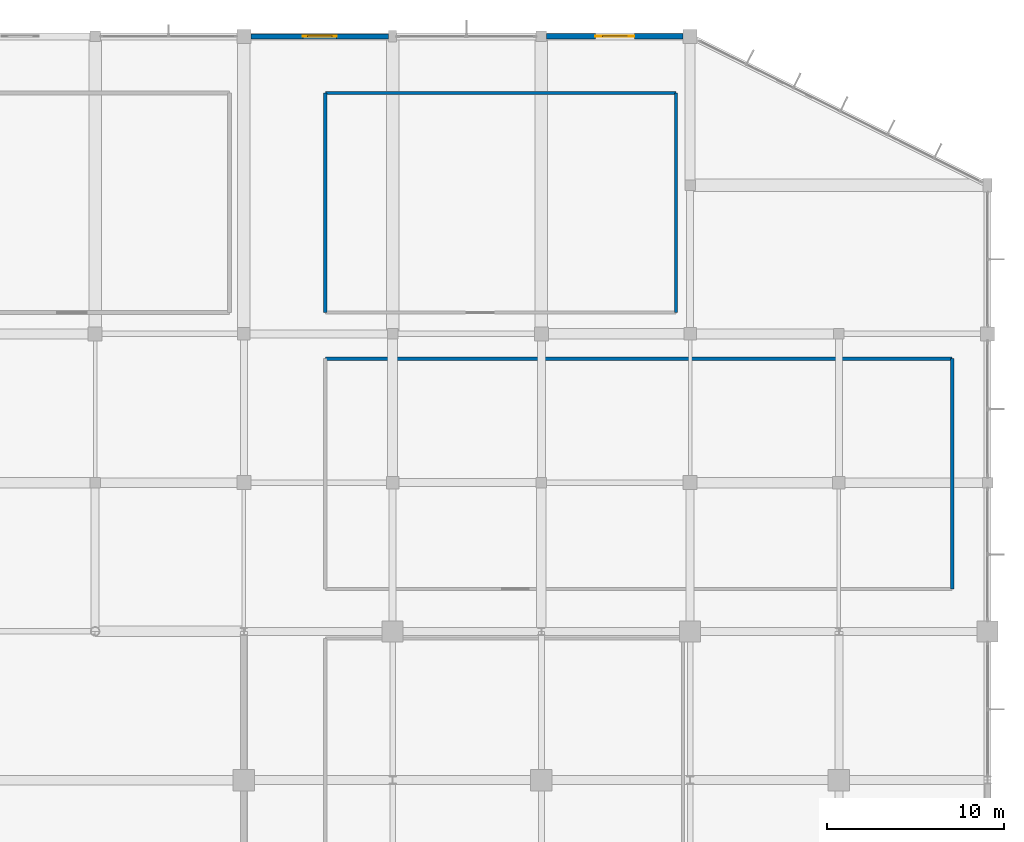
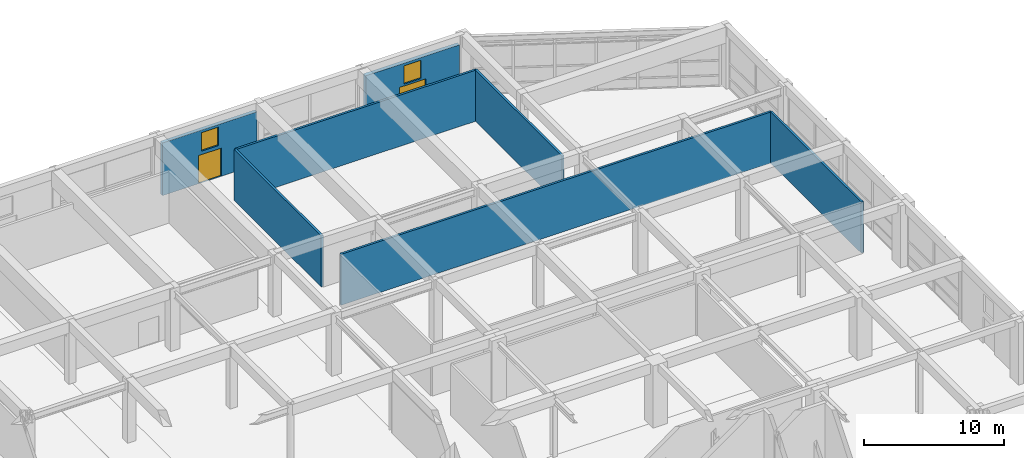
# One storey, part 50 of 62: 7 walls, 2 doors, 2 windows, 4 openings.
"""IFC4 building model written with IfcOpenShell, lengths in metres."""

from ifc_helpers import new_model, si_unit, direction, frame, frame_2d, origin, place, context, subcontext, project, spatial, rectangle, extrude, material, layer, layer_set, type_object, element, fill, save


model = new_model("IFC4")

# Units and contexts
model_context = context("Model", 3, precision=1e-05, world=origin(), true_north=direction((0.0, 1.0)))
body_context = subcontext(model_context, "Body", "Model", "MODEL_VIEW")
ifc_project = project(units=[si_unit("LENGTHUNIT", "METRE"), si_unit("AREAUNIT", "SQUARE_METRE"), si_unit("VOLUMEUNIT", "CUBIC_METRE"), si_unit("PLANEANGLEUNIT", "RADIAN"), si_unit("MASSUNIT", "GRAM", prefix="KILO")], contexts=[model_context])

# Site, building, storey
site_placement = place(None, origin())
site = spatial("IfcSite", under=ifc_project, at=site_placement, CompositionType="ELEMENT")
building_placement = place(site_placement, origin())
building = spatial("IfcBuilding", under=site, at=building_placement, Name="Xuanlan Plaza Opera House", CompositionType="ELEMENT")
storey_placement = place(building_placement, origin())
storey = spatial("IfcBuildingStorey", under=building, at=storey_placement, Name="L00", CompositionType="ELEMENT", Elevation=0.0)

# Wall, openings, door, window
ifc_material_1 = material(Name="Anodised Aluminium 6063-T6 and Rockwool Cladding", Category="aluminium")
ifc_layer_1 = layer(ifc_material_1, 0.320068359375)
ifc_layer_set_1 = layer_set([ifc_layer_1], Name="Anodised Aluminium 6063-T6 and Rockwool Cladding")
wall_type_1 = type_object("IfcWallType", Name="ENV-WL-EW-03", PredefinedType="STANDARD", material=ifc_layer_set_1)
wall_1_placement = place(storey_placement, frame((150.800048828125, 117.60009765625, 0.0), z_axis=(0.0, 0.0, 1.0), x_axis=(-1.0, 0.0, 0.0)))
wall_1 = element("IfcWall", 1, at=wall_1_placement, inside=storey, type_object=wall_type_1, Name="Exterior Wall L00-031", PredefinedType="STANDARD", context=body_context, shape_type="SweptSolid", body=[
    extrude(rectangle(XDim=7.699951171875, YDim=0.320068359375, at=frame_2d((3.85009765625, 0.0))), origin(), (0.0, 0.0, 1.0), 4.580078125),
])
opening_1_placement = place(wall_1_placement, frame((2.75, 0.0, 0.0)))
opening_1 = element("IfcOpeningElement", 2, at=opening_1_placement, cuts=wall_1, Name="Opening ED-04", PredefinedType="OPENING", context=body_context, shape_type="SweptSolid", body=[
    extrude(rectangle(XDim=2.199951171875, YDim=2.60009765625, at=frame_2d((1.10009765625, 1.300048828125))), frame((0.0, 0.169921875, 0.0), z_axis=(0.0, -1.0, 0.0), x_axis=(1.0, 0.0, 0.0)), (0.0, 0.0, 1.0), 0.340087890625),
])
opening_2_placement = place(wall_1_placement, frame((3.14990234375, 0.0, 2.75)))
opening_2 = element("IfcOpeningElement", 3, at=opening_2_placement, cuts=wall_1, Name="Opening WN-08", PredefinedType="OPENING", context=body_context, shape_type="SweptSolid", body=[
    extrude(rectangle(XDim=1.39990234375, YDim=1.60009765625, at=frame_2d((0.699951171875, 0.800048828125))), frame((0.0, 0.169921875, 0.0), z_axis=(0.0, -1.0, 0.0), x_axis=(1.0, 0.0, 0.0)), (0.0, 0.0, 1.0), 0.340087890625),
])
ifc_material_2 = material(Name="Anodised Aluminium 6063-T6 and Laminated Safety Glass", Category="aluminium")
door_type_1 = type_object("IfcDoorType", Name="ENV-DR-ED-04", OperationType="DOUBLE_DOOR_SINGLE_SWING", PredefinedType="DOOR", material=ifc_material_2)
door_1_placement = place(opening_1_placement, frame((2.199951171875, 0.0, 0.0), z_axis=(0.0, 0.0, 1.0), x_axis=(-1.0, 0.0, 0.0)))
door_1 = element("IfcDoor", 4, at=door_1_placement, inside=storey, type_object=door_type_1, Name="Plaza Pedestrian Exit Door 15", OperationType="DOUBLE_DOOR_SINGLE_SWING", OverallHeight=2.60009765625, OverallWidth=2.199951171875, PredefinedType="DOOR", context=body_context, shape_type="SweptSolid", body=[
    extrude(rectangle(XDim=2.199951171875, YDim=2.60009765625, at=frame_2d((1.10009765625, 1.300048828125))), frame((0.0, 0.02490234375, 0.0), z_axis=(0.0, -1.0, 0.0), x_axis=(1.0, 0.0, 0.0)), (0.0, 0.0, 1.0), 0.050048828125),
])
fill(opening_1, door_1)
ifc_material_3 = material(Name="Anodised Aluminium 6063-T6 and Low-E Glass", Category="aluminium")
window_type = type_object("IfcWindowType", Name="ENV-WN-WN-08", PartitioningType="SINGLE_PANEL", PredefinedType="WINDOW", material=ifc_material_3)
window_1_placement = place(opening_2_placement, origin())
window_1 = element("IfcWindow", 5, at=window_1_placement, inside=storey, type_object=window_type, Name="Entrance Portal Transom Clerestory 15", OverallHeight=1.60009765625, OverallWidth=1.39990234375, PartitioningType="SINGLE_PANEL", PredefinedType="WINDOW", context=body_context, shape_type="SweptSolid", body=[
    extrude(rectangle(XDim=1.39990234375, YDim=1.60009765625, at=frame_2d((0.699951171875, 0.800048828125))), frame((0.0, 0.030029296875, 0.0), z_axis=(0.0, -1.0, 0.0), x_axis=(1.0, 0.0, 0.0)), (0.0, 0.0, 1.0), 0.06005859375),
])
fill(opening_2, window_1)

ifc_layer_2 = layer(ifc_material_1, 0.2900390625)
ifc_layer_set_2 = layer_set([ifc_layer_2], Name="Anodised Aluminium 6063-T6 and Rockwool Cladding")
wall_type_2 = type_object("IfcWallType", Name="ENV-WL-EW-05", PredefinedType="STANDARD", material=ifc_layer_set_2)
wall_2_placement = place(storey_placement, frame((134.175048828125, 117.60009765625, 0.0), z_axis=(0.0, 0.0, 1.0), x_axis=(-1.0, 0.0, 0.0)))
wall_2 = element("IfcWall", 6, at=wall_2_placement, inside=storey, type_object=wall_type_2, Name="Exterior Wall L00-033", PredefinedType="STANDARD", context=body_context, shape_type="SweptSolid", body=[
    extrude(rectangle(XDim=7.775146484375, YDim=0.2900390625, at=frame_2d((3.8876953125, 0.0))), origin(), (0.0, 0.0, 1.0), 4.580078125),
])
opening_3_placement = place(wall_2_placement, frame((2.93798828125, 0.0, 0.0)))
opening_3 = element("IfcOpeningElement", 7, at=opening_3_placement, cuts=wall_2, Name="Opening ED-05", PredefinedType="OPENING", context=body_context, shape_type="SweptSolid", body=[
    extrude(rectangle(XDim=1.89990234375, YDim=2.449951171875, at=frame_2d((0.949951171875, 1.22509765625))), frame((0.0, 0.155029296875, 0.0), z_axis=(0.0, -1.0, 0.0), x_axis=(1.0, 0.0, 0.0)), (0.0, 0.0, 1.0), 0.31005859375),
])
opening_4_placement = place(wall_2_placement, frame((3.18798828125, 0.0, 2.75)))
opening_4 = element("IfcOpeningElement", 8, at=opening_4_placement, cuts=wall_2, Name="Opening WN-08", PredefinedType="OPENING", context=body_context, shape_type="SweptSolid", body=[
    extrude(rectangle(XDim=1.39990234375, YDim=1.60009765625, at=frame_2d((0.699951171875, 0.800048828125))), frame((0.0, 0.155029296875, 0.0), z_axis=(0.0, -1.0, 0.0), x_axis=(1.0, 0.0, 0.0)), (0.0, 0.0, 1.0), 0.31005859375),
])
door_type_2 = type_object("IfcDoorType", Name="ENV-DR-ED-05", OperationType="DOUBLE_DOOR_SINGLE_SWING", PredefinedType="DOOR", material=ifc_material_2)
door_2_placement = place(opening_3_placement, frame((1.89990234375, 0.0, 0.0), z_axis=(0.0, 0.0, 1.0), x_axis=(-1.0, 0.0, 0.0)))
door_2 = element("IfcDoor", 9, at=door_2_placement, inside=storey, type_object=door_type_2, Name="Main Foyer Pedestrian Entrance Door 16", OperationType="DOUBLE_DOOR_SINGLE_SWING", OverallHeight=2.449951171875, OverallWidth=1.89990234375, PredefinedType="DOOR", context=body_context, shape_type="SweptSolid", body=[
    extrude(rectangle(XDim=1.89990234375, YDim=2.449951171875, at=frame_2d((0.949951171875, 1.22509765625))), frame((0.0, 0.02490234375, 0.0), z_axis=(0.0, -1.0, 0.0), x_axis=(1.0, 0.0, 0.0)), (0.0, 0.0, 1.0), 0.050048828125),
])
fill(opening_3, door_2)
window_2_placement = place(opening_4_placement, origin())
window_2 = element("IfcWindow", 10, at=window_2_placement, inside=storey, type_object=window_type, Name="Entrance Portal Transom Clerestory 16", OverallHeight=1.60009765625, OverallWidth=1.39990234375, PartitioningType="SINGLE_PANEL", PredefinedType="WINDOW", context=body_context, shape_type="SweptSolid", body=[
    extrude(rectangle(XDim=1.39990234375, YDim=1.60009765625, at=frame_2d((0.699951171875, 0.800048828125))), frame((0.0, 0.030029296875, 0.0), z_axis=(0.0, -1.0, 0.0), x_axis=(1.0, 0.0, 0.0)), (0.0, 0.0, 1.0), 0.06005859375),
])
fill(opening_4, window_2)

# Walls
ifc_material_4 = material(Name="Gypsum Board and Galvanised Steel Studs", Category="gypsum")
ifc_layer_3 = layer(ifc_material_4, 0.179931640625)
ifc_layer_set_3 = layer_set([ifc_layer_3], Name="Gypsum Board and Galvanised Steel Studs")
wall_type_3 = type_object("IfcWallType", Name="INT-WL-PW-02", PredefinedType="PARTITIONING", material=ifc_layer_set_3)
wall_3_placement = place(storey_placement, frame((130.60009765625, 114.39990234375, 0.0), z_axis=(0.0, 0.0, 1.0), x_axis=(1.0, 0.0, 0.0)))
element("IfcWall", 11, at=wall_3_placement, inside=storey, type_object=wall_type_3, Name="Facility Operations Workshop Wall North", PredefinedType="PARTITIONING", context=body_context, shape_type="SweptSolid", body=[
    extrude(rectangle(XDim=19.7998046875, YDim=0.179931640625, at=frame_2d((9.89990234375, 0.0))), origin(), (0.0, 0.0, 1.0), 4.43994140625),
])
for number, where, z_axis, x_axis, name in (
    (12, (130.60009765625, 102.0, 0.0), (0.0, 0.0, 1.0), (0.0, 1.0, 0.0), "Facility Operations Workshop Wall West"),
    (13, (150.39990234375, 102.0, 0.0), (0.0, 0.0, 1.0), (0.0, 1.0, 0.0), "Facility Operations Workshop Wall East"),
):
    element("IfcWall", number, at=place(storey_placement, frame(where, z_axis=z_axis, x_axis=x_axis)), inside=storey, type_object=wall_type_3, Name=name, PredefinedType="PARTITIONING", context=body_context, shape_type="SweptSolid", body=[
        extrude(rectangle(XDim=12.39990234375, YDim=0.179931640625, at=frame_2d((6.199951171875, 0.0))), origin(), (0.0, 0.0, 1.0), 4.43994140625),
    ])
wall_4_placement = place(storey_placement, frame((130.60009765625, 99.39990234375, 0.0), z_axis=(0.0, 0.0, 1.0), x_axis=(1.0, 0.0, 0.0)))
element("IfcWall", 14, at=wall_4_placement, inside=storey, type_object=wall_type_3, Name="Arts Foundation Exhibition Archive Wall North", PredefinedType="PARTITIONING", context=body_context, shape_type="SweptSolid", body=[
    extrude(rectangle(XDim=35.39990234375, YDim=0.179931640625, at=frame_2d((17.699951171875, 0.0))), origin(), (0.0, 0.0, 1.0), 4.43994140625),
])
wall_5_placement = place(storey_placement, frame((166.0, 86.39990234375, 0.0), z_axis=(0.0, 0.0, 1.0), x_axis=(0.0, 1.0, 0.0)))
element("IfcWall", 15, at=wall_5_placement, inside=storey, type_object=wall_type_3, Name="Arts Foundation Exhibition Archive Wall East", PredefinedType="PARTITIONING", context=body_context, shape_type="SweptSolid", body=[
    extrude(rectangle(XDim=13.0, YDim=0.179931640625, at=frame_2d((6.5, 0.0))), origin(), (0.0, 0.0, 1.0), 4.43994140625),
])

save(model, "model.ifc")
